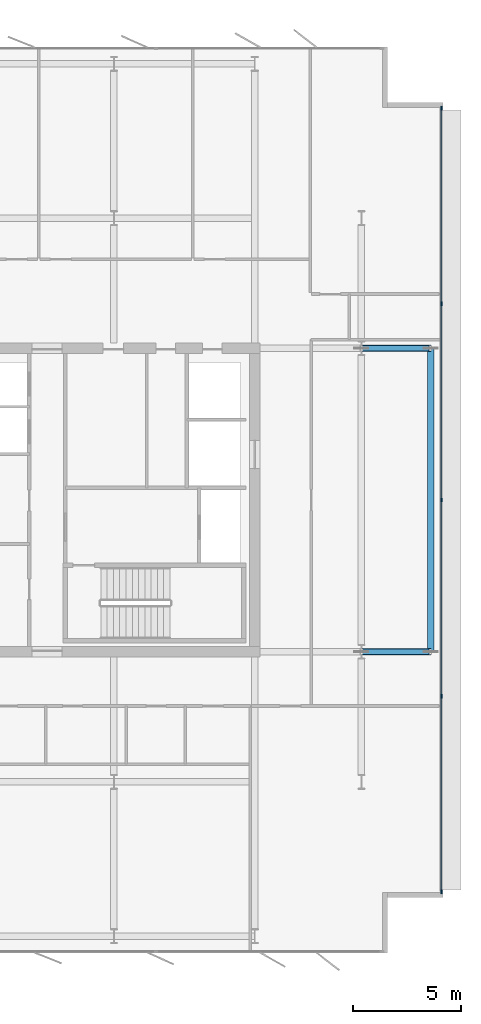
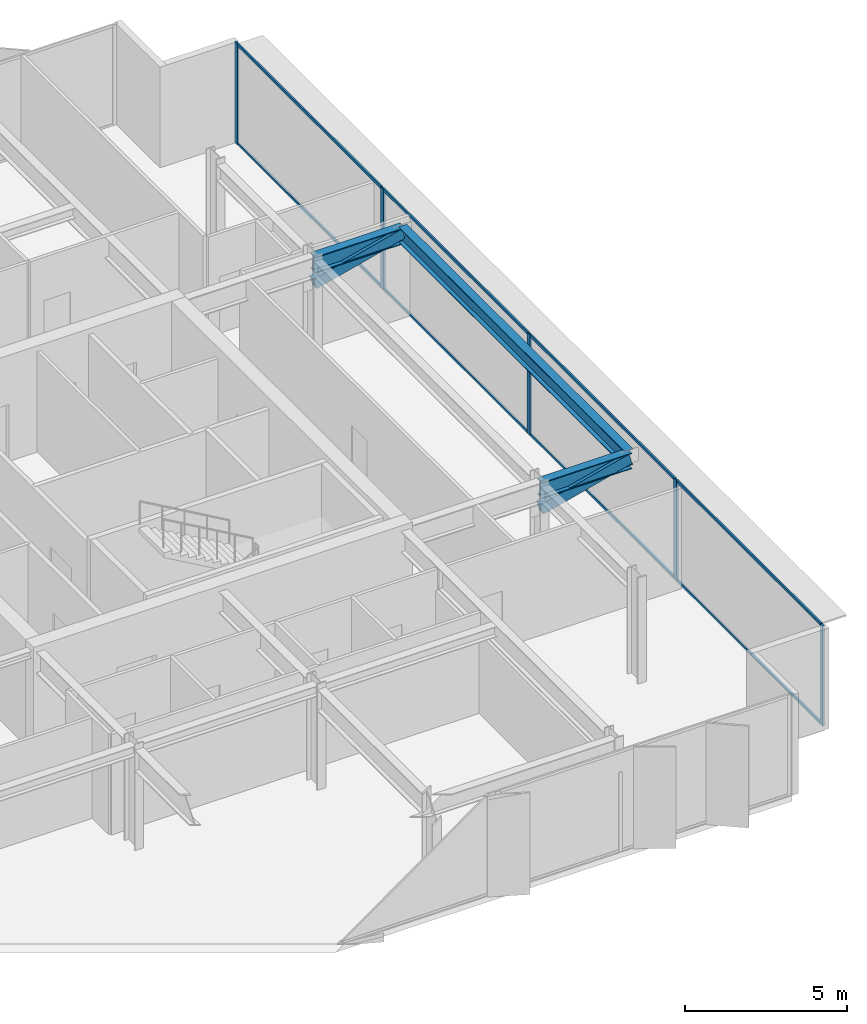
# One storey, part 10 of 20: 15 members, 3 beams, 1 element without a shape of its own.
"""IFC4 building model written with IfcOpenShell, lengths in metres."""

import ifcopenshell
import ifcopenshell.guid

model = None  # the IFC model being written
_history = None  # IfcOwnerHistory: only IFC2X3 demands one
_inside = {}  # id of a spatial element -> (the spatial element, [elements in it])
_under = {}  # id of a project, library or spatial element -> (it, [spatial elements below it])
_declared = {}  # id of a project -> (the project, [libraries it declares])
_typed = {}  # id of a type object -> (the type object, [elements of that type])
_made_of = {}  # id of a material, layer set ... -> (it, [elements and type objects made of it])


def new_model(schema):
    """Start an empty IFC model of exactly this schema.

    Asked for "IFC4X3", IfcOpenShell would pick the latest addendum, in which some entities
    have other attributes; the version numbers below select the first issue.
    IFC2X3 requires an IfcOwnerHistory on every rooted entity: one is made here for all.
    """
    global model, _history
    if schema == "IFC4X3":
        model = ifcopenshell.file(schema_version=(4, 3, 0, 0))
    else:
        model = ifcopenshell.file(schema=schema)
    _inside.clear()
    _under.clear()
    _declared.clear()
    _typed.clear()
    _made_of.clear()
    _history = None
    if model.schema == "IFC2X3":
        org = make("IfcOrganization", Name="unknown")
        user = make(
            "IfcPersonAndOrganization",
            ThePerson=make("IfcPerson", FamilyName="unknown"),
            TheOrganization=org,
        )
        app = make(
            "IfcApplication",
            ApplicationDeveloper=org,
            Version="unknown",
            ApplicationFullName="unknown",
            ApplicationIdentifier="unknown",
        )
        _history = make(
            "IfcOwnerHistory",
            OwningUser=user,
            OwningApplication=app,
            ChangeAction="ADDED",
            CreationDate=0,
        )
    return model


def make(cls, **values):
    """One entity of the class cls with the attributes given. An attribute that is None is left unset."""
    return model.create_entity(
        cls, **{name: value for name, value in values.items() if value is not None}
    )


def rooted(cls, **values):
    """An entity with a GlobalId (a new one), such as an element, a storey or a relation."""
    return make(cls, GlobalId=ifcopenshell.guid.new(), OwnerHistory=_history, **values)


def si_unit(unit_type, name, prefix=None):
    """IfcSIUnit, for example si_unit("LENGTHUNIT", "METRE", prefix="MILLI")."""
    return make("IfcSIUnit", UnitType=unit_type, Prefix=prefix, Name=name)


def assignment(units):
    """IfcUnitAssignment: the units of a project."""
    return None if units is None else make("IfcUnitAssignment", Units=units)


def point(xyz):
    """IfcCartesianPoint."""
    return None if xyz is None else make("IfcCartesianPoint", Coordinates=xyz)


def direction(xyz):
    """IfcDirection."""
    return None if xyz is None else make("IfcDirection", DirectionRatios=xyz)


def frame(location, z_axis=None, x_axis=None):
    """IfcAxis2Placement3D, a coordinate frame: its origin and axes. An axis left out is left unset."""
    return make(
        "IfcAxis2Placement3D",
        Location=point(location),
        Axis=direction(z_axis),
        RefDirection=direction(x_axis),
    )


def frame_2d(location, x_axis=None):
    """IfcAxis2Placement2D, a coordinate frame in the plane: its origin and x axis."""
    return make(
        "IfcAxis2Placement2D", Location=point(location), RefDirection=direction(x_axis)
    )


def origin():
    """The frame at (0, 0, 0) with its axes left unset."""
    return frame((0.0, 0.0, 0.0))


def origin_2d():
    """The frame at (0, 0) in the plane with its x axis left unset."""
    return frame_2d((0.0, 0.0))


def place(relative_to, where):
    """IfcLocalPlacement: puts the frame where relative to a parent placement (None: the world)."""
    return make(
        "IfcLocalPlacement", PlacementRelTo=relative_to, RelativePlacement=where
    )


def context(
    kind, dimensions, precision=None, world=None, true_north=None, identifier=None
):
    """IfcGeometricRepresentationContext, for example the 3D "Model" context."""
    return make(
        "IfcGeometricRepresentationContext",
        ContextIdentifier=identifier,
        ContextType=kind,
        CoordinateSpaceDimension=dimensions,
        Precision=precision,
        WorldCoordinateSystem=world,
        TrueNorth=true_north,
    )


def subcontext(parent, identifier, kind, view, scale=None):
    """IfcGeometricRepresentationSubContext, for example "Body" below "Model"."""
    return make(
        "IfcGeometricRepresentationSubContext",
        ContextIdentifier=identifier,
        ContextType=kind,
        ParentContext=parent,
        TargetScale=scale,
        TargetView=view,
    )


def project(units=None, contexts=None):
    """IfcProject with its units and contexts."""
    return rooted(
        "IfcProject",
        Name="project",
        RepresentationContexts=contexts,
        UnitsInContext=assignment(units),
    )


def spatial(cls, under=None, at=None, **own):
    """A site, building, storey or space (cls), placed at a placement, below another one or the project."""
    s = rooted(cls, ObjectPlacement=at, **own)
    if under is not None:
        _under.setdefault(under.id(), (under, []))[1].append(s)
    return s


def profile(cls, at=None, kind="AREA", **sizes):
    """A parametric profile (cls). Its sizes go by their IFC names, for example OverallWidth=200.0."""
    return make(cls, ProfileType=kind, Position=at, **sizes)


def rectangle(**sizes):
    """IfcRectangleProfileDef."""
    return profile("IfcRectangleProfileDef", **sizes)


def hollow_rectangle(**sizes):
    """IfcRectangleHollowProfileDef."""
    return profile("IfcRectangleHollowProfileDef", **sizes)


def i_section(**sizes):
    """IfcIShapeProfileDef."""
    return profile("IfcIShapeProfileDef", **sizes)


def extrude(swept, where, along, depth):
    """IfcExtrudedAreaSolid: the profile swept, set in the frame where, extruded along a direction by depth."""
    return make(
        "IfcExtrudedAreaSolid",
        SweptArea=swept,
        Position=where,
        ExtrudedDirection=direction(along),
        Depth=depth,
    )


def shape(context_of_items, identifier, shape_type, items):
    """IfcShapeRepresentation: the items that make up one representation, for example the "Body"."""
    return make(
        "IfcShapeRepresentation",
        ContextOfItems=context_of_items,
        RepresentationIdentifier=identifier,
        RepresentationType=shape_type,
        Items=items,
    )


def material(Name=None, Category=None):
    """IfcMaterial."""
    return make("IfcMaterial", Name=Name, Category=Category)


def layer(
    of_material, thickness, ventilated=None, Name=None, Category=None, Priority=None
):
    """IfcMaterialLayer: one layer of a wall or slab, of a material (None: an air gap)."""
    return make(
        "IfcMaterialLayer",
        Material=of_material,
        LayerThickness=thickness,
        IsVentilated=ventilated,
        Name=Name,
        Category=Category,
        Priority=Priority,
    )


def layer_set(layers, Name=None):
    """IfcMaterialLayerSet."""
    return make("IfcMaterialLayerSet", MaterialLayers=layers, LayerSetName=Name)


def material_profile(
    of_material, cross_section, Name=None, Category=None, Priority=None
):
    """IfcMaterialProfile: a cross section and its material."""
    return make(
        "IfcMaterialProfile",
        Name=Name,
        Material=of_material,
        Profile=cross_section,
        Priority=Priority,
        Category=Category,
    )


def profile_set(profiles, Name=None, composite=None):
    """IfcMaterialProfileSet."""
    return make(
        "IfcMaterialProfileSet",
        Name=Name,
        MaterialProfiles=profiles,
        CompositeProfile=composite,
    )


def made_of(thing, what):
    """Note that an element or type object is made of a material, layer set ...; save() writes the relation."""
    if what is not None:
        _made_of.setdefault(what.id(), (what, []))[1].append(thing)
    return thing


def type_object(cls, material=None, **own):
    """A type object (cls), such as IfcWallType, which elements share."""
    return made_of(rooted(cls, **own), material)


def element(
    cls,
    number,
    at=None,
    inside=None,
    cuts=None,
    type_object=None,
    material=None,
    context=None,
    identifier="Body",
    shape_type=None,
    held_by="IfcProductDefinitionShape",
    body=None,
    shapes=None,
    **own,
):
    """One element of the class cls, such as IfcWall. Its Tag is "e" and its number.

    at: its placement. inside: the storey or other place that contains it. cuts: it is an
    opening in that element (IfcRelVoidsElement). A single representation is given by context,
    identifier, shape_type and body (its items); several are given by shapes. held_by: the class
    of the entity that holds the representations. save() writes the other relations.
    """
    e = rooted(cls, Tag="e%d" % number, ObjectPlacement=at, **own)
    if body is not None:
        shapes = [shape(context, identifier, shape_type, body)]
    if shapes is not None:
        e.Representation = make(held_by, Representations=shapes)
    if inside is not None:
        _inside.setdefault(inside.id(), (inside, []))[1].append(e)
    if cuts is not None:
        rooted(
            "IfcRelVoidsElement", RelatingBuildingElement=cuts, RelatedOpeningElement=e
        )
    if type_object is not None:
        _typed.setdefault(type_object.id(), (type_object, []))[1].append(e)
    return made_of(e, material)


def aggregate(whole, parts):
    """IfcRelAggregates: a whole, such as a stair, and the parts it consists of."""
    return rooted("IfcRelAggregates", RelatingObject=whole, RelatedObjects=parts)


def save(model, path):
    """Write the relations noted so far, then the file.

    IfcRelAggregates (storeys below a building ...), IfcRelContainedInSpatialStructure (elements
    in a storey), IfcRelDefinesByType, IfcRelAssociatesMaterial and IfcRelDeclares: one each for
    every whole, place, type object, material and project.
    """
    for whole, parts in _under.values():
        aggregate(whole, parts)
    for where, things in _inside.values():
        rooted(
            "IfcRelContainedInSpatialStructure",
            RelatedElements=things,
            RelatingStructure=where,
        )
    for kind, things in _typed.values():
        rooted("IfcRelDefinesByType", RelatedObjects=things, RelatingType=kind)
    for what, things in _made_of.values():
        rooted("IfcRelAssociatesMaterial", RelatedObjects=things, RelatingMaterial=what)
    for by, libraries in _declared.values():
        rooted("IfcRelDeclares", RelatingContext=by, RelatedDefinitions=libraries)
    model.write(path)


model = new_model("IFC4")

# Units and contexts
model_context = context("Model", 3, precision=1e-05, world=origin(), true_north=direction((0.0, 1.0)))
body_context = subcontext(model_context, "Body", "Model", "MODEL_VIEW")
ifc_project = project(units=[si_unit("LENGTHUNIT", "METRE"), si_unit("AREAUNIT", "SQUARE_METRE"), si_unit("VOLUMEUNIT", "CUBIC_METRE"), si_unit("PLANEANGLEUNIT", "RADIAN"), si_unit("MASSUNIT", "GRAM", prefix="KILO")], contexts=[model_context])

# Site, building, storey
site_placement = place(None, origin())
site = spatial("IfcSite", under=ifc_project, at=site_placement, CompositionType="ELEMENT")
building_placement = place(site_placement, origin())
building = spatial("IfcBuilding", under=site, at=building_placement, Name="Putna Gate Headquarters", CompositionType="ELEMENT")
storey_placement = place(building_placement, frame((0.0, 0.0, 294.39990234375)))
storey = spatial("IfcBuildingStorey", under=building, at=storey_placement, Name="L74", CompositionType="ELEMENT", Elevation=294.39990234375)

# Beams
ifc_material_1 = material(Name="Steel S355J2", Category="steel")
ifc_material_profile_1 = material_profile(ifc_material_1, i_section(OverallWidth=0.300048828125, OverallDepth=0.60009765625, WebThickness=0.015380859375, FlangeThickness=0.030029296875, at=origin_2d()), Name="Steel S355J2")
ifc_profile_set_1 = profile_set([ifc_material_profile_1], Name="Steel S355J2")
beam_type_1 = type_object("IfcBeamType", Name="BM-GIRD-SAIL-HEB600", PredefinedType="USERDEFINED", material=ifc_profile_set_1)
for number, where, z_axis, x_axis, name in (
    (1, (69.926025390625, 19.0, 3.488037109375), (1.0, 0.0, 0.0), (0.0, 1.0, 0.0), "L74 East Sail Outrigger Bracket Y19"),
    (2, (69.926025390625, 33.0, 3.488037109375), (1.0, 0.0, 0.0), (0.0, 1.0, 0.0), "L74 East Sail Outrigger Bracket Y33"),
):
    element("IfcBeam", number, at=place(storey_placement, frame(where, z_axis=z_axis, x_axis=x_axis)), inside=storey, type_object=beam_type_1, Name=name, ObjectType="GIRDER", PredefinedType="USERDEFINED", context=body_context, shape_type="SweptSolid", body=[
        extrude(i_section(OverallWidth=0.300048828125, OverallDepth=0.60009765625, WebThickness=0.015380859375, FlangeThickness=0.030029296875, at=origin_2d()), origin(), (0.0, 0.0, 1.0), 3.194091796875),
    ])
ifc_material_profile_2 = material_profile(ifc_material_1, i_section(OverallWidth=0.300048828125, OverallDepth=0.590087890625, WebThickness=0.012939453125, FlangeThickness=0.02490234375, at=origin_2d()), Name="Steel S355J2")
ifc_profile_set_2 = profile_set([ifc_material_profile_2], Name="Steel S355J2")
beam_type_2 = type_object("IfcBeamType", Name="BM-SPAN-Z4-HEA600", PredefinedType="SPANDREL", material=ifc_profile_set_2)
beam_placement = place(storey_placement, frame((73.1201171875, 19.02001953125, 3.4931640625), z_axis=(0.0, 1.0, 0.0), x_axis=(-1.0, 0.0, 0.0)))
element("IfcBeam", 3, at=beam_placement, inside=storey, type_object=beam_type_2, Name="L74 East Sail Edge Spandrel", PredefinedType="SPANDREL", context=body_context, shape_type="SweptSolid", body=[
    extrude(i_section(OverallWidth=0.300048828125, OverallDepth=0.590087890625, WebThickness=0.012939453125, FlangeThickness=0.02490234375, at=origin_2d()), origin(), (0.0, 0.0, 1.0), 13.9599609375),
])

# Members
ifc_material_2 = material(Name="Steel S460M", Category="steel")
ifc_material_profile_3 = material_profile(ifc_material_2, hollow_rectangle(XDim=0.25, YDim=0.39990234375, WallThickness=0.01611328125, at=origin_2d()), Name="Steel S460M")
ifc_profile_set_3 = profile_set([ifc_material_profile_3], Name="Steel S460M")
member_type_1 = type_object("IfcMemberType", Name="MEM-SAIL-BRACE-RHS400", PredefinedType="BRACE", material=ifc_profile_set_3)
for number, where, z_axis, x_axis, name in (
    (4, (69.934326171875, 19.0, 2.755126953125), (0.96875163726, 0.0, 0.24803279079), (0.0, 1.0, 0.0), "L74 East Sail Cantilever Raker Y19"),
    (5, (69.934326171875, 33.0, 2.755126953125), (0.96875163726, 0.0, 0.24803279079), (0.0, 1.0, 0.0), "L74 East Sail Cantilever Raker Y33"),
):
    element("IfcMember", number, at=place(storey_placement, frame(where, z_axis=z_axis, x_axis=x_axis)), inside=storey, type_object=member_type_1, Name=name, PredefinedType="BRACE", context=body_context, shape_type="SweptSolid", body=[
        extrude(hollow_rectangle(XDim=0.25, YDim=0.39990234375, WallThickness=0.01611328125, at=origin_2d()), origin(), (0.0, 0.0, 1.0), 3.258056640625),
    ])

# Curtain wall, members
ifc_material_3 = material(Name="Anodised bronze aluminium curtain wall", Category="aluminium")
ifc_layer = layer(ifc_material_3, 0.179931640625)
ifc_layer_set = layer_set([ifc_layer], Name="Anodised bronze aluminium curtain wall")
curtain_wall_type = type_object("IfcCurtainWallType", Name="CW-SYS-Z5", PredefinedType="USERDEFINED", material=ifc_layer_set)
curtain_wall_placement = place(storey_placement, origin())
curtain_wall = element("IfcCurtainWall", 6, at=curtain_wall_placement, inside=storey, type_object=curtain_wall_type, Name="L74 East Curtain Wall", ObjectType="STICK CURTAIN WALL", PredefinedType="USERDEFINED")
ifc_material_4 = material(Name="Anodised bronze aluminium EN AW-6060", Category="aluminium")
ifc_material_profile_4 = material_profile(ifc_material_4, rectangle(XDim=0.070068359375, YDim=0.179931640625, at=origin_2d()), Name="Anodised bronze aluminium EN AW-6060")
ifc_profile_set_4 = profile_set([ifc_material_profile_4], Name="Anodised bronze aluminium EN AW-6060")
member_type_2 = type_object("IfcMemberType", Name="MULL-CWM-5", PredefinedType="MULLION", material=ifc_profile_set_4)
member_1_placement = place(storey_placement, frame((73.60498046875, 7.93505859375, 0.0), z_axis=(0.0, 0.0, 1.0), x_axis=(-1.0, 0.0, 0.0)))
member_1 = element("IfcMember", 7, at=member_1_placement, type_object=member_type_2, Name="CWS-5 mullion 1", PredefinedType="MULLION", context=body_context, shape_type="SweptSolid", body=[
    extrude(rectangle(XDim=0.070068359375, YDim=0.179931640625, at=origin_2d()), origin(), (0.0, 0.0, 1.0), 3.7880859375),
])
member_2_placement = place(storey_placement, frame((73.60498046875, 16.949951171875, 0.0), z_axis=(0.0, 0.0, 1.0), x_axis=(-1.0, 0.0, 0.0)))
member_2 = element("IfcMember", 8, at=member_2_placement, type_object=member_type_2, Name="CWS-5 mullion 2", PredefinedType="MULLION", context=body_context, shape_type="SweptSolid", body=[
    extrude(rectangle(XDim=0.070068359375, YDim=0.179931640625, at=origin_2d()), origin(), (0.0, 0.0, 1.0), 3.7880859375),
])
member_3_placement = place(storey_placement, frame((73.60498046875, 26.0, 0.0), z_axis=(0.0, 0.0, 1.0), x_axis=(-1.0, 0.0, 0.0)))
member_3 = element("IfcMember", 9, at=member_3_placement, type_object=member_type_2, Name="CWS-5 mullion 3", PredefinedType="MULLION", context=body_context, shape_type="SweptSolid", body=[
    extrude(rectangle(XDim=0.070068359375, YDim=0.179931640625, at=origin_2d()), origin(), (0.0, 0.0, 1.0), 3.7880859375),
])
member_4_placement = place(storey_placement, frame((73.60498046875, 35.050048828125, 0.0), z_axis=(0.0, 0.0, 1.0), x_axis=(-1.0, 0.0, 0.0)))
member_4 = element("IfcMember", 10, at=member_4_placement, type_object=member_type_2, Name="CWS-5 mullion 4", PredefinedType="MULLION", context=body_context, shape_type="SweptSolid", body=[
    extrude(rectangle(XDim=0.070068359375, YDim=0.179931640625, at=origin_2d()), origin(), (0.0, 0.0, 1.0), 3.7880859375),
])
member_5_placement = place(storey_placement, frame((73.60498046875, 44.06494140625, 0.0), z_axis=(0.0, 0.0, 1.0), x_axis=(-1.0, 0.0, 0.0)))
member_5 = element("IfcMember", 11, at=member_5_placement, type_object=member_type_2, Name="CWS-5 mullion 5", PredefinedType="MULLION", context=body_context, shape_type="SweptSolid", body=[
    extrude(rectangle(XDim=0.070068359375, YDim=0.179931640625, at=origin_2d()), origin(), (0.0, 0.0, 1.0), 3.7880859375),
])
ifc_material_profile_5 = material_profile(ifc_material_4, rectangle(XDim=0.06005859375, YDim=0.10009765625, at=origin_2d()), Name="Anodised bronze aluminium EN AW-6060")
ifc_profile_set_5 = profile_set([ifc_material_profile_5], Name="Anodised bronze aluminium EN AW-6060")
member_type_3 = type_object("IfcMemberType", Name="TRAN-CWT-5", PredefinedType="USERDEFINED", material=ifc_profile_set_5)
member_6_placement = place(storey_placement, frame((73.60498046875, 7.969970703125, 0.030029296875), z_axis=(0.0, 1.0, 0.0), x_axis=(-1.0, 0.0, 0.0)))
member_6 = element("IfcMember", 12, at=member_6_placement, type_object=member_type_3, Name="CWS-5 transom 1.1", ObjectType="TRANSOM", PredefinedType="USERDEFINED", context=body_context, shape_type="SweptSolid", body=[
    extrude(rectangle(XDim=0.06005859375, YDim=0.10009765625, at=origin_2d()), origin(), (0.0, 0.0, 1.0), 8.945068359375),
])
member_7_placement = place(storey_placement, frame((73.60498046875, 7.969970703125, 3.758056640625), z_axis=(0.0, 1.0, 0.0), x_axis=(-1.0, 0.0, 0.0)))
member_7 = element("IfcMember", 13, at=member_7_placement, type_object=member_type_3, Name="CWS-5 transom 1.2", ObjectType="TRANSOM", PredefinedType="USERDEFINED", context=body_context, shape_type="SweptSolid", body=[
    extrude(rectangle(XDim=0.06005859375, YDim=0.10009765625, at=origin_2d()), origin(), (0.0, 0.0, 1.0), 8.945068359375),
])
member_8_placement = place(storey_placement, frame((73.60498046875, 16.985107421875, 0.030029296875), z_axis=(0.0, 1.0, 0.0), x_axis=(-1.0, 0.0, 0.0)))
member_8 = element("IfcMember", 14, at=member_8_placement, type_object=member_type_3, Name="CWS-5 transom 2.1", ObjectType="TRANSOM", PredefinedType="USERDEFINED", context=body_context, shape_type="SweptSolid", body=[
    extrude(rectangle(XDim=0.06005859375, YDim=0.10009765625, at=origin_2d()), origin(), (0.0, 0.0, 1.0), 8.97998046875),
])
member_9_placement = place(storey_placement, frame((73.60498046875, 16.985107421875, 3.758056640625), z_axis=(0.0, 1.0, 0.0), x_axis=(-1.0, 0.0, 0.0)))
member_9 = element("IfcMember", 15, at=member_9_placement, type_object=member_type_3, Name="CWS-5 transom 2.2", ObjectType="TRANSOM", PredefinedType="USERDEFINED", context=body_context, shape_type="SweptSolid", body=[
    extrude(rectangle(XDim=0.06005859375, YDim=0.10009765625, at=origin_2d()), origin(), (0.0, 0.0, 1.0), 8.97998046875),
])
member_10_placement = place(storey_placement, frame((73.60498046875, 26.034912109375, 0.030029296875), z_axis=(0.0, 1.0, 0.0), x_axis=(-1.0, 0.0, 0.0)))
member_10 = element("IfcMember", 16, at=member_10_placement, type_object=member_type_3, Name="CWS-5 transom 3.1", ObjectType="TRANSOM", PredefinedType="USERDEFINED", context=body_context, shape_type="SweptSolid", body=[
    extrude(rectangle(XDim=0.06005859375, YDim=0.10009765625, at=origin_2d()), origin(), (0.0, 0.0, 1.0), 8.97998046875),
])
member_11_placement = place(storey_placement, frame((73.60498046875, 26.034912109375, 3.758056640625), z_axis=(0.0, 1.0, 0.0), x_axis=(-1.0, 0.0, 0.0)))
member_11 = element("IfcMember", 17, at=member_11_placement, type_object=member_type_3, Name="CWS-5 transom 3.2", ObjectType="TRANSOM", PredefinedType="USERDEFINED", context=body_context, shape_type="SweptSolid", body=[
    extrude(rectangle(XDim=0.06005859375, YDim=0.10009765625, at=origin_2d()), origin(), (0.0, 0.0, 1.0), 8.97998046875),
])
member_12_placement = place(storey_placement, frame((73.60498046875, 35.0849609375, 0.030029296875), z_axis=(0.0, 1.0, 0.0), x_axis=(-1.0, 0.0, 0.0)))
member_12 = element("IfcMember", 18, at=member_12_placement, type_object=member_type_3, Name="CWS-5 transom 4.1", ObjectType="TRANSOM", PredefinedType="USERDEFINED", context=body_context, shape_type="SweptSolid", body=[
    extrude(rectangle(XDim=0.06005859375, YDim=0.10009765625, at=origin_2d()), origin(), (0.0, 0.0, 1.0), 8.945068359375),
])
member_13_placement = place(storey_placement, frame((73.60498046875, 35.0849609375, 3.758056640625), z_axis=(0.0, 1.0, 0.0), x_axis=(-1.0, 0.0, 0.0)))
member_13 = element("IfcMember", 19, at=member_13_placement, type_object=member_type_3, Name="CWS-5 transom 4.2", ObjectType="TRANSOM", PredefinedType="USERDEFINED", context=body_context, shape_type="SweptSolid", body=[
    extrude(rectangle(XDim=0.06005859375, YDim=0.10009765625, at=origin_2d()), origin(), (0.0, 0.0, 1.0), 8.945068359375),
])
aggregate(curtain_wall, [member_1, member_2, member_3, member_4, member_5, member_6, member_7, member_8, member_9, member_10, member_11, member_12, member_13])

save(model, "model.ifc")
